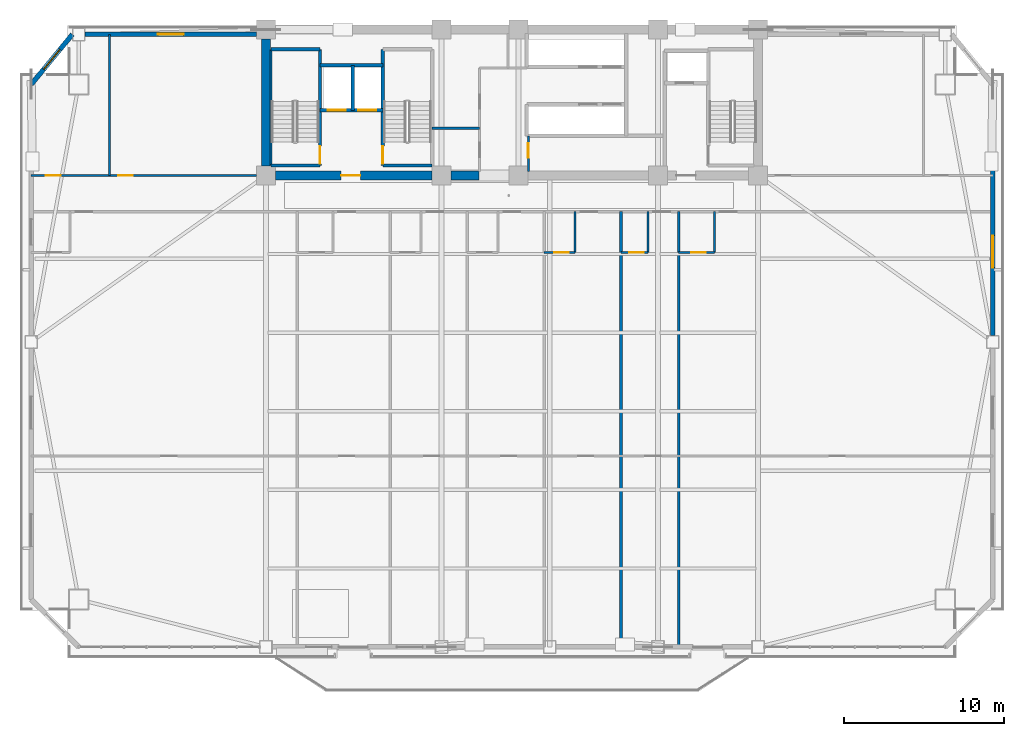
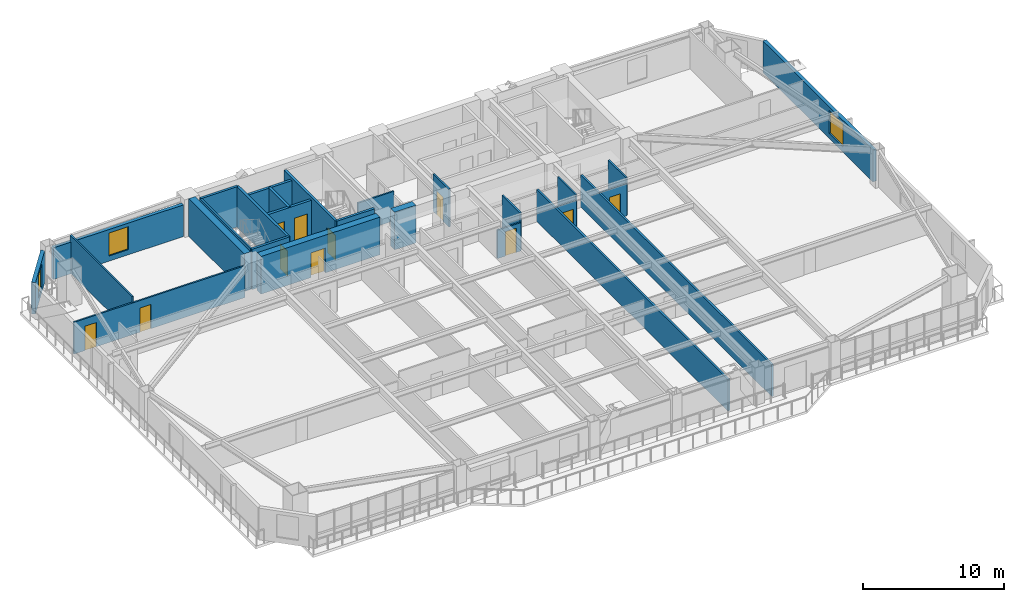
# One storey, part 9 of 17: 27 walls, 11 doors, 3 windows, 14 openings.
"""IFC4 building model written with IfcOpenShell, lengths in metres."""

from ifc_helpers import new_model, si_unit, direction, frame, frame_2d, origin, place, context, subcontext, project, spatial, rectangle, extrude, source, transform, mapped, material, layer, layer_set, type_object, element, fill, save


model = new_model("IFC4")

# Units and contexts
model_context = context("Model", 3, precision=1e-05, world=origin(), true_north=direction((0.0, 1.0)))
body_context = subcontext(model_context, "Body", "Model", "MODEL_VIEW")
ifc_project = project(units=[si_unit("LENGTHUNIT", "METRE"), si_unit("AREAUNIT", "SQUARE_METRE"), si_unit("VOLUMEUNIT", "CUBIC_METRE"), si_unit("PLANEANGLEUNIT", "RADIAN"), si_unit("MASSUNIT", "GRAM", prefix="KILO")], contexts=[model_context])

# Site, building, storey
site_placement = place(None, origin())
site = spatial("IfcSite", under=ifc_project, at=site_placement, CompositionType="ELEMENT")
building_placement = place(site_placement, origin())
building = spatial("IfcBuilding", under=site, at=building_placement, Name="Giltprow Tower", CompositionType="ELEMENT")
storey_placement = place(building_placement, frame((0.0, 0.0, 137.699951171875)))
storey = spatial("IfcBuildingStorey", under=building, at=storey_placement, Name="L33", CompositionType="ELEMENT", Elevation=137.699951171875)

# Wall, opening, window
ifc_material_1 = material(Name="Precast concrete C40", Category="concrete")
ifc_layer_1 = layer(ifc_material_1, 0.300048828125, Name="Precast concrete C40")
ifc_layer_set_1 = layer_set([ifc_layer_1], Name="Precast concrete C40")
wall_type_1 = type_object("IfcWallType", Name="EW-NOTCH-CHAMFER-300", PredefinedType="SOLIDWALL", material=ifc_layer_set_1)
wall_1_placement = place(storey_placement, frame((7.779052734375, 46.25, 0.0), z_axis=(0.0, 0.0, 1.0), x_axis=(-0.63553760815, -0.772069911748, 0.0)))
wall_1 = element("IfcWall", 1, at=wall_1_placement, inside=storey, type_object=wall_type_1, Name="L33 Corner Notch Wall NW", PredefinedType="SOLIDWALL", context=body_context, shape_type="SweptSolid", body=[
    extrude(rectangle(XDim=4.035888671875, YDim=0.300048828125, at=frame_2d((2.01806640625, 0.0))), origin(), (0.0, 0.0, 1.0), 2.75),
])
opening_1_placement = place(wall_1_placement, frame((1.218017578125, 0.0, 0.449951171875)))
opening_1 = element("IfcOpeningElement", 2, at=opening_1_placement, cuts=wall_1, Name="Opening WN17", PredefinedType="OPENING", context=body_context, shape_type="SweptSolid", body=[
    extrude(rectangle(XDim=1.60009765625, YDim=2.0, at=frame_2d((0.800048828125, 1.0))), frame((0.0, 0.159912109375, 0.0), z_axis=(0.0, -1.0, 0.0), x_axis=(1.0, 0.0, 0.0)), (0.0, 0.0, 1.0), 0.320068359375),
])
ifc_material_2 = material(Name="Insulated glass", Category="glass")
window_type_1 = type_object("IfcWindowType", Name="WN-COR-1600x2000", PartitioningType="SINGLE_PANEL", PredefinedType="WINDOW", material=ifc_material_2)
shared_shape_1 = source(origin(), body_context, "Body", "SweptSolid", [
    extrude(rectangle(XDim=1.60009765625, YDim=2.0, at=frame_2d((0.800048828125, 1.0))), frame((0.0, 0.030029296875, 0.0), z_axis=(0.0, -1.0, 0.0), x_axis=(1.0, 0.0, 0.0)), (0.0, 0.0, 1.0), 0.06005859375),
])
window_1_placement = place(opening_1_placement, origin())
window_1 = element("IfcWindow", 3, at=window_1_placement, inside=storey, type_object=window_type_1, Name="L33 Corner Notch Window NW", OverallHeight=2.0, OverallWidth=1.60009765625, PartitioningType="SINGLE_PANEL", PredefinedType="WINDOW", context=body_context, shape_type="MappedRepresentation", body=[
    mapped(shared_shape_1, transform((0.0, 0.0, 0.0), x_axis=(1.0, 0.0, 0.0), y_axis=(0.0, 1.0, 0.0), z_axis=(0.0, 0.0, 1.0), scale=1.0)),
])
fill(opening_1, window_1)

ifc_layer_2 = layer(ifc_material_1, 0.280029296875, Name="Precast concrete C40")
ifc_layer_set_2 = layer_set([ifc_layer_2], Name="Precast concrete C40")
wall_type_2 = type_object("IfcWallType", Name="EW-TOW-BRONZE-280", PredefinedType="SOLIDWALL", material=ifc_layer_set_2)
wall_2_placement = place(storey_placement, frame((65.18603515625, 27.471923828125, 0.0), z_axis=(0.0, 0.0, 1.0), x_axis=(0.0, 1.0, 0.0)))
wall_2 = element("IfcWall", 4, at=wall_2_placement, inside=storey, type_object=wall_type_2, Name="L33 E Wing Masonry Wall 2", PredefinedType="SOLIDWALL", context=body_context, shape_type="SweptSolid", body=[
    extrude(rectangle(XDim=15.662109375, YDim=0.280029296875, at=frame_2d((7.8310546875, 0.0))), origin(), (0.0, 0.0, 1.0), 2.75),
])
opening_2_placement = place(wall_2_placement, frame((4.22705078125, 0.0, 0.449951171875)))
opening_2 = element("IfcOpeningElement", 5, at=opening_2_placement, cuts=wall_2, Name="Opening WN21", PredefinedType="OPENING", context=body_context, shape_type="SweptSolid", body=[
    extrude(rectangle(XDim=2.0, YDim=2.0, at=frame_2d((1.0, 1.0))), frame((0.0, 0.14990234375, 0.0), z_axis=(0.0, -1.0, 0.0), x_axis=(1.0, 0.0, 0.0)), (0.0, 0.0, 1.0), 0.300048828125),
])
window_type_2 = type_object("IfcWindowType", Name="WN-HTL-2000x2000", PartitioningType="DOUBLE_PANEL_VERTICAL", PredefinedType="WINDOW", material=ifc_material_2)
shared_shape_2 = source(origin(), body_context, "Body", "SweptSolid", [
    extrude(rectangle(XDim=2.0, YDim=2.0, at=frame_2d((1.0, 1.0))), frame((0.0, 0.030029296875, 0.0), z_axis=(0.0, -1.0, 0.0), x_axis=(1.0, 0.0, 0.0)), (0.0, 0.0, 1.0), 0.06005859375),
])
window_2_placement = place(opening_2_placement, origin())
window_2 = element("IfcWindow", 6, at=window_2_placement, inside=storey, type_object=window_type_2, Name="L33 E Wing Window 2-1", OverallHeight=2.0, OverallWidth=2.0, PartitioningType="SINGLE_PANEL", PredefinedType="WINDOW", context=body_context, shape_type="MappedRepresentation", body=[
    mapped(shared_shape_2, transform((0.0, 0.0, 0.0), x_axis=(1.0, 0.0, 0.0), y_axis=(0.0, 1.0, 0.0), z_axis=(0.0, 0.0, 1.0), scale=1.0)),
])
fill(opening_2, window_2)

wall_3_placement = place(storey_placement, frame((8.5791015625, 46.25, 0.0), z_axis=(0.0, 0.0, 1.0), x_axis=(1.0, 0.0, 0.0)))
wall_3 = element("IfcWall", 7, at=wall_3_placement, inside=storey, type_object=wall_type_2, Name="L33 North-West Wing Wall", PredefinedType="SOLIDWALL", context=body_context, shape_type="SweptSolid", body=[
    extrude(rectangle(XDim=10.6708984375, YDim=0.280029296875, at=frame_2d((5.33544921875, 0.0))), origin(), (0.0, 0.0, 1.0), 2.75),
])
opening_3_placement = place(wall_3_placement, frame((4.534912109375, 0.0, 0.449951171875)))
opening_3 = element("IfcOpeningElement", 8, at=opening_3_placement, cuts=wall_3, Name="Opening WN17", PredefinedType="OPENING", context=body_context, shape_type="SweptSolid", body=[
    extrude(rectangle(XDim=1.60009765625, YDim=2.0, at=frame_2d((0.800048828125, 1.0))), frame((0.0, 0.14990234375, 0.0), z_axis=(0.0, -1.0, 0.0), x_axis=(1.0, 0.0, 0.0)), (0.0, 0.0, 1.0), 0.300048828125),
])
window_3_placement = place(opening_3_placement, origin())
window_3 = element("IfcWindow", 9, at=window_3_placement, inside=storey, type_object=window_type_1, Name="L33 North-West Window", OverallHeight=2.0, OverallWidth=1.60009765625, PartitioningType="SINGLE_PANEL", PredefinedType="WINDOW", context=body_context, shape_type="MappedRepresentation", body=[
    mapped(shared_shape_1, transform((0.0, 0.0, 0.0), x_axis=(1.0, 0.0, 0.0), y_axis=(0.0, 1.0, 0.0), z_axis=(0.0, 0.0, 1.0), scale=1.0)),
])
fill(opening_3, window_3)

# Walls
ifc_material_3 = material(Name="Gypsum stud partition", Category="gypsum")
ifc_layer_3 = layer(ifc_material_3, 0.159912109375, Name="Gypsum stud partition")
ifc_layer_set_3 = layer_set([ifc_layer_3], Name="Gypsum stud partition")
wall_type_3 = type_object("IfcWallType", Name="IW-DEMISE-160", PredefinedType="PARTITIONING", material=ifc_layer_set_3)
for number, where, z_axis, x_axis, name in (
    (10, (42.0, 8.044921875, 0.0), (0.0, 0.0, 1.0), (0.0, 1.0, 0.0), "L33 Hotel Demising Wall 5"),
    (11, (45.60009765625, 8.044921875, 0.0), (0.0, 0.0, 1.0), (0.0, 1.0, 0.0), "L33 Hotel Demising Wall 6"),
):
    element("IfcWall", number, at=place(storey_placement, frame(where, z_axis=z_axis, x_axis=x_axis)), inside=storey, type_object=wall_type_3, Name=name, PredefinedType="PARTITIONING", context=body_context, shape_type="SweptSolid", body=[
        extrude(rectangle(XDim=27.155029296875, YDim=0.159912109375, at=frame_2d((13.57763671875, 0.0))), origin(), (0.0, 0.0, 1.0), 2.755126953125),
    ])

# Wall, openings, doors
ifc_material_4 = material(Name="Concrete C40", Category="concrete")
ifc_layer_4 = layer(ifc_material_4, 0.219970703125, Name="Concrete C40")
ifc_layer_set_4 = layer_set([ifc_layer_4], Name="Concrete C40")
wall_type_4 = type_object("IfcWallType", Name="IW-SHAFT-220", PredefinedType="SOLIDWALL", material=ifc_layer_set_4)
wall_4_placement = place(storey_placement, frame((23.219970703125, 41.52001953125, 0.0), z_axis=(0.0, 0.0, 1.0), x_axis=(1.0, 0.0, 0.0)))
wall_4 = element("IfcWall", 12, at=wall_4_placement, inside=storey, type_object=wall_type_4, Name="L33 FFL1 and Service Lift Front Wall", PredefinedType="SOLIDWALL", context=body_context, shape_type="SweptSolid", body=[
    extrude(rectangle(XDim=3.919921875, YDim=0.219970703125, at=frame_2d((1.9599609375, 0.0))), origin(), (0.0, 0.0, 1.0), 3.27001953125),
])
opening_4_placement = place(wall_4_placement, frame((0.5, 0.0, 0.0)))
opening_4 = element("IfcOpeningElement", 13, at=opening_4_placement, cuts=wall_4, Name="Opening LD-11", PredefinedType="OPENING", context=body_context, shape_type="SweptSolid", body=[
    extrude(rectangle(XDim=1.10009765625, YDim=2.199951171875, at=frame_2d((0.550048828125, 1.10009765625))), frame((0.0, 0.119873046875, 0.0), z_axis=(0.0, -1.0, 0.0), x_axis=(1.0, 0.0, 0.0)), (0.0, 0.0, 1.0), 0.239990234375),
])
opening_5_placement = place(wall_4_placement, frame((2.39990234375, 0.0, 0.0)))
opening_5 = element("IfcOpeningElement", 14, at=opening_5_placement, cuts=wall_4, Name="Opening LD-11", PredefinedType="OPENING", context=body_context, shape_type="SweptSolid", body=[
    extrude(rectangle(XDim=1.10009765625, YDim=2.199951171875, at=frame_2d((0.550048828125, 1.10009765625))), frame((0.0, 0.119873046875, 0.0), z_axis=(0.0, -1.0, 0.0), x_axis=(1.0, 0.0, 0.0)), (0.0, 0.0, 1.0), 0.239990234375),
])
ifc_material_5 = material(Name="Stainless steel", Category="steel")
door_type_1 = type_object("IfcDoorType", Name="DR-LIFT-LD1100", OperationType="SLIDING_TO_LEFT", PredefinedType="DOOR", material=ifc_material_5)
shared_shape_3 = source(origin(), body_context, "Body", "SweptSolid", [
    extrude(rectangle(XDim=1.10009765625, YDim=2.199951171875, at=frame_2d((0.550048828125, 1.10009765625))), frame((0.0, 0.02490234375, 0.0), z_axis=(0.0, -1.0, 0.0), x_axis=(1.0, 0.0, 0.0)), (0.0, 0.0, 1.0), 0.050048828125),
])
door_1_placement = place(opening_4_placement, origin())
door_1 = element("IfcDoor", 15, at=door_1_placement, inside=storey, type_object=door_type_1, Name="L33 FFL1 Landing Door", OperationType="SLIDING_TO_LEFT", OverallHeight=2.199951171875, OverallWidth=1.10009765625, PredefinedType="DOOR", context=body_context, shape_type="MappedRepresentation", body=[
    mapped(shared_shape_3, transform((0.0, 0.0, 0.0), x_axis=(1.0, 0.0, 0.0), y_axis=(0.0, 1.0, 0.0), z_axis=(0.0, 0.0, 1.0), scale=1.0)),
])
fill(opening_4, door_1)
door_2_placement = place(opening_5_placement, origin())
door_2 = element("IfcDoor", 16, at=door_2_placement, inside=storey, type_object=door_type_1, Name="L33 SVL1 Landing Door", OperationType="SLIDING_TO_LEFT", OverallHeight=2.199951171875, OverallWidth=1.10009765625, PredefinedType="DOOR", context=body_context, shape_type="MappedRepresentation", body=[
    mapped(shared_shape_3, transform((0.0, 0.0, 0.0), x_axis=(1.0, 0.0, 0.0), y_axis=(0.0, 1.0, 0.0), z_axis=(0.0, 0.0, 1.0), scale=1.0)),
])
fill(opening_5, door_2)

# Walls
wall_5_placement = place(storey_placement, frame((25.260009765625, 41.52001953125, 0.0), z_axis=(0.0, 0.0, 1.0), x_axis=(0.0, 1.0, 0.0)))
element("IfcWall", 17, at=wall_5_placement, inside=storey, type_object=wall_type_4, Name="L33 FFL1-SVL1 Shaft Divider", PredefinedType="SOLIDWALL", context=body_context, shape_type="SweptSolid", body=[
    extrude(rectangle(XDim=2.800048828125, YDim=0.219970703125, at=frame_2d((1.39990234375, 0.0))), origin(), (0.0, 0.0, 1.0), 3.27001953125),
])
wall_6_placement = place(storey_placement, frame((23.219970703125, 44.320068359375, 0.0), z_axis=(0.0, 0.0, 1.0), x_axis=(1.0, 0.0, 0.0)))
element("IfcWall", 18, at=wall_6_placement, inside=storey, type_object=wall_type_4, Name="L33 FFL1-SVL1 Back Shaft Wall", PredefinedType="SOLIDWALL", context=body_context, shape_type="SweptSolid", body=[
    extrude(rectangle(XDim=3.919921875, YDim=0.219970703125, at=frame_2d((1.9599609375, 0.0))), origin(), (0.0, 0.0, 1.0), 3.27001953125),
])
ifc_material_6 = material(Name="Concrete C45", Category="concrete")
ifc_layer_5 = layer(ifc_material_6, 0.139892578125, Name="Concrete C45")
ifc_layer_set_5 = layer_set([ifc_layer_5], Name="Concrete C45")
wall_type_5 = type_object("IfcWallType", Name="IW-STAIR-140", PredefinedType="SOLIDWALL", material=ifc_layer_set_5)
wall_7_placement = place(storey_placement, frame((20.169921875, 38.070068359375, 0.0), z_axis=(0.0, 0.0, 1.0), x_axis=(0.0, 1.0, 0.0)))
element("IfcWall", 19, at=wall_7_placement, inside=storey, type_object=wall_type_5, Name="L33 Stair ST-1 West Bearing Wall", PredefinedType="SOLIDWALL", context=body_context, shape_type="SweptSolid", body=[
    extrude(rectangle(XDim=7.25, YDim=0.139892578125, at=frame_2d((3.625, 0.0))), origin(), (0.0, 0.0, 1.0), 3.5),
])

# Wall, opening, door
ifc_layer_6 = layer(ifc_material_4, 0.199951171875, Name="Concrete C40")
ifc_layer_set_6 = layer_set([ifc_layer_6], Name="Concrete C40")
wall_type_6 = type_object("IfcWallType", Name="IW-STAIR-200", PredefinedType="SOLIDWALL", material=ifc_layer_set_6)
wall_8_placement = place(storey_placement, frame((23.219970703125, 38.070068359375, 0.0), z_axis=(0.0, 0.0, 1.0), x_axis=(0.0, 1.0, 0.0)))
wall_8 = element("IfcWall", 20, at=wall_8_placement, inside=storey, type_object=wall_type_6, Name="L33 Stair ST-1 East Bearing Wall", PredefinedType="SOLIDWALL", context=body_context, shape_type="SweptSolid", body=[
    extrude(rectangle(XDim=7.25, YDim=0.199951171875, at=frame_2d((3.625, 0.0))), origin(), (0.0, 0.0, 1.0), 3.5),
])
opening_6_placement = place(wall_8_placement, frame((0.110107421875, 0.0, 0.0)))
opening_6 = element("IfcOpeningElement", 21, at=opening_6_placement, cuts=wall_8, Name="Opening ID33", PredefinedType="OPENING", context=body_context, shape_type="SweptSolid", body=[
    extrude(rectangle(XDim=1.10009765625, YDim=2.14990234375, at=frame_2d((0.550048828125, 1.074951171875))), frame((0.0, 0.10986328125, 0.0), z_axis=(0.0, -1.0, 0.0), x_axis=(1.0, 0.0, 0.0)), (0.0, 0.0, 1.0), 0.219970703125),
])
ifc_material_7 = material(Name="Steel fire leaf", Category="steel")
door_type_2 = type_object("IfcDoorType", Name="DR-STAIR-1100", OperationType="SINGLE_SWING_LEFT", PredefinedType="DOOR", material=ifc_material_7)
shared_shape_4 = source(origin(), body_context, "Body", "SweptSolid", [
    extrude(rectangle(XDim=1.10009765625, YDim=2.14990234375, at=frame_2d((0.550048828125, 1.074951171875))), frame((0.0, 0.02490234375, 0.0), z_axis=(0.0, -1.0, 0.0), x_axis=(1.0, 0.0, 0.0)), (0.0, 0.0, 1.0), 0.050048828125),
])
door_3_placement = place(opening_6_placement, origin())
door_3 = element("IfcDoor", 22, at=door_3_placement, inside=storey, type_object=door_type_2, Name="L33 Stair ST-1 Fire Door", OperationType="SINGLE_SWING_RIGHT", OverallHeight=2.14990234375, OverallWidth=1.10009765625, PredefinedType="DOOR", context=body_context, shape_type="MappedRepresentation", body=[
    mapped(shared_shape_4, transform((0.0, 0.0, 0.0), x_axis=(1.0, 0.0, 0.0), y_axis=(0.0, 1.0, 0.0), z_axis=(0.0, 0.0, 1.0), scale=1.0)),
])
fill(opening_6, door_3)

# Walls
for number, where, z_axis, x_axis, name in (
    (23, (20.169921875, 45.320068359375, 0.0), (0.0, 0.0, 1.0), (1.0, 0.0, 0.0), "L33 Stair ST-1 North Bearing Wall"),
    (24, (20.169921875, 38.070068359375, 0.0), (0.0, 0.0, 1.0), (1.0, 0.0, 0.0), "L33 Stair ST-1 South Bearing Wall"),
):
    element("IfcWall", number, at=place(storey_placement, frame(where, z_axis=z_axis, x_axis=x_axis)), inside=storey, type_object=wall_type_6, Name=name, PredefinedType="SOLIDWALL", context=body_context, shape_type="SweptSolid", body=[
        extrude(rectangle(XDim=3.050048828125, YDim=0.199951171875, at=frame_2d((1.52490234375, 0.0))), origin(), (0.0, 0.0, 1.0), 3.5),
    ])

# Wall, opening, door
wall_9_placement = place(storey_placement, frame((27.139892578125, 38.070068359375, 0.0), z_axis=(0.0, 0.0, 1.0), x_axis=(0.0, 1.0, 0.0)))
wall_9 = element("IfcWall", 25, at=wall_9_placement, inside=storey, type_object=wall_type_6, Name="L33 Stair ST-2 West Bearing Wall", PredefinedType="SOLIDWALL", context=body_context, shape_type="SweptSolid", body=[
    extrude(rectangle(XDim=7.25, YDim=0.199951171875, at=frame_2d((3.625, 0.0))), origin(), (0.0, 0.0, 1.0), 3.5),
])
opening_7_placement = place(wall_9_placement, frame((0.110107421875, 0.0, 0.0)))
opening_7 = element("IfcOpeningElement", 26, at=opening_7_placement, cuts=wall_9, Name="Opening ID33", PredefinedType="OPENING", context=body_context, shape_type="SweptSolid", body=[
    extrude(rectangle(XDim=1.10009765625, YDim=2.14990234375, at=frame_2d((0.550048828125, 1.074951171875))), frame((0.0, 0.10986328125, 0.0), z_axis=(0.0, -1.0, 0.0), x_axis=(1.0, 0.0, 0.0)), (0.0, 0.0, 1.0), 0.219970703125),
])
door_4_placement = place(opening_7_placement, origin())
door_4 = element("IfcDoor", 27, at=door_4_placement, inside=storey, type_object=door_type_2, Name="L33 Stair ST-2 Fire Door", OperationType="SINGLE_SWING_LEFT", OverallHeight=2.14990234375, OverallWidth=1.10009765625, PredefinedType="DOOR", context=body_context, shape_type="MappedRepresentation", body=[
    mapped(shared_shape_4, transform((0.0, 0.0, 0.0), x_axis=(1.0, 0.0, 0.0), y_axis=(0.0, 1.0, 0.0), z_axis=(0.0, 0.0, 1.0), scale=1.0)),
])
fill(opening_7, door_4)

# Walls
wall_10_placement = place(storey_placement, frame((27.139892578125, 38.070068359375, 0.0), z_axis=(0.0, 0.0, 1.0), x_axis=(1.0, 0.0, 0.0)))
element("IfcWall", 28, at=wall_10_placement, inside=storey, type_object=wall_type_6, Name="L33 Stair ST-2 South Bearing Wall", PredefinedType="SOLIDWALL", context=body_context, shape_type="SweptSolid", body=[
    extrude(rectangle(XDim=3.080078125, YDim=0.199951171875, at=frame_2d((1.5400390625, 0.0))), origin(), (0.0, 0.0, 1.0), 3.5),
])
ifc_material_8 = material(Name="Concrete C30", Category="concrete")
ifc_layer_7 = layer(ifc_material_8, 0.1298828125, Name="Concrete C30")
ifc_layer_set_7 = layer_set([ifc_layer_7], Name="Concrete C30")
wall_type_7 = type_object("IfcWallType", Name="IW-WET-130", PredefinedType="PARTITIONING", material=ifc_layer_set_7)
wall_11_placement = place(storey_placement, frame((30.219970703125, 40.39990234375, 0.0), z_axis=(0.0, 0.0, 1.0), x_axis=(1.0, 0.0, 0.0)))
element("IfcWall", 29, at=wall_11_placement, inside=storey, type_object=wall_type_7, Name="L33 Core Housekeeping Split 2", PredefinedType="PARTITIONING", context=body_context, shape_type="SweptSolid", body=[
    extrude(rectangle(XDim=2.9599609375, YDim=0.1298828125, at=frame_2d((1.47998046875, 0.0))), origin(), (0.0, 0.0, 1.0), 2.554931640625),
])

# Wall, opening, door
wall_12_placement = place(storey_placement, frame((36.219970703125, 37.705078125, 0.0), z_axis=(0.0, 0.0, 1.0), x_axis=(0.0, 1.0, 0.0)))
wall_12 = element("IfcWall", 30, at=wall_12_placement, inside=storey, type_object=wall_type_7, Name="L33 Core Valet West Wall", PredefinedType="PARTITIONING", context=body_context, shape_type="SweptSolid", body=[
    extrude(rectangle(XDim=2.21484375, YDim=0.1298828125, at=frame_2d((1.107421875, 0.0))), origin(), (0.0, 0.0, 1.0), 3.27001953125),
])
opening_8_placement = place(wall_12_placement, frame((0.85498046875, 0.0, 0.0)))
opening_8 = element("IfcOpeningElement", 31, at=opening_8_placement, cuts=wall_12, Name="Opening ID35", PredefinedType="OPENING", context=body_context, shape_type="SweptSolid", body=[
    extrude(rectangle(XDim=0.89990234375, YDim=2.10009765625, at=frame_2d((0.449951171875, 1.050048828125))), frame((0.0, 0.074951171875, 0.0), z_axis=(0.0, -1.0, 0.0), x_axis=(1.0, 0.0, 0.0)), (0.0, 0.0, 1.0), 0.14990234375),
])
door_type_3 = type_object("IfcDoorType", Name="DR-SHAFT-900", OperationType="SINGLE_SWING_LEFT", PredefinedType="DOOR", material=ifc_material_7)
shared_shape_5 = source(origin(), body_context, "Body", "SweptSolid", [
    extrude(rectangle(XDim=0.89990234375, YDim=2.10009765625, at=frame_2d((0.449951171875, 1.050048828125))), frame((0.0, 0.02490234375, 0.0), z_axis=(0.0, -1.0, 0.0), x_axis=(1.0, 0.0, 0.0)), (0.0, 0.0, 1.0), 0.050048828125),
])
door_5_placement = place(opening_8_placement, origin())
door_5 = element("IfcDoor", 32, at=door_5_placement, inside=storey, type_object=door_type_3, Name="L33 Core Valet Pantry Door", OperationType="SINGLE_SWING_RIGHT", OverallHeight=2.10009765625, OverallWidth=0.89990234375, PredefinedType="DOOR", context=body_context, shape_type="MappedRepresentation", body=[
    mapped(shared_shape_5, transform((0.0, 0.0, 0.0), x_axis=(1.0, 0.0, 0.0), y_axis=(0.0, 1.0, 0.0), z_axis=(0.0, 0.0, 1.0), scale=1.0)),
])
fill(opening_8, door_5)

wall_13_placement = place(storey_placement, frame((37.199951171875, 32.64990234375, 0.0), z_axis=(0.0, 0.0, 1.0), x_axis=(1.0, 0.0, 0.0)))
wall_13 = element("IfcWall", 33, at=wall_13_placement, inside=storey, type_object=wall_type_7, Name="L33 En-Suite South Wall 5", PredefinedType="PARTITIONING", context=body_context, shape_type="SweptSolid", body=[
    extrude(rectangle(XDim=1.93603515625, YDim=0.1298828125, at=frame_2d((0.968017578125, 0.0))), origin(), (0.0, 0.0, 1.0), 2.455078125),
])
opening_9_placement = place(wall_13_placement, frame((0.637939453125, 0.0, 0.0)))
opening_9 = element("IfcOpeningElement", 34, at=opening_9_placement, cuts=wall_13, Name="Opening ID15", PredefinedType="OPENING", context=body_context, shape_type="SweptSolid", body=[
    extrude(rectangle(XDim=0.89990234375, YDim=2.10009765625, at=frame_2d((0.449951171875, 1.050048828125))), frame((0.0, 0.074951171875, 0.0), z_axis=(0.0, -1.0, 0.0), x_axis=(1.0, 0.0, 0.0)), (0.0, 0.0, 1.0), 0.14990234375),
])
ifc_material_9 = material(Name="Engineered timber", Category="wood")
door_type_4 = type_object("IfcDoorType", Name="DR-WC-900", OperationType="SINGLE_SWING_LEFT", PredefinedType="DOOR", material=ifc_material_9)
door_6_placement = place(opening_9_placement, origin())
door_6 = element("IfcDoor", 35, at=door_6_placement, inside=storey, type_object=door_type_4, Name="L33 En-Suite 5 Door", OperationType="SINGLE_SWING_LEFT", OverallHeight=2.10009765625, OverallWidth=0.89990234375, PredefinedType="DOOR", context=body_context, shape_type="MappedRepresentation", body=[
    mapped(shared_shape_5, transform((0.0, 0.0, 0.0), x_axis=(1.0, 0.0, 0.0), y_axis=(0.0, 1.0, 0.0), z_axis=(0.0, 0.0, 1.0), scale=1.0)),
])
fill(opening_9, door_6)

# Wall
wall_14_placement = place(storey_placement, frame((39.135986328125, 32.64990234375, 0.0), z_axis=(0.0, 0.0, 1.0), x_axis=(0.0, 1.0, 0.0)))
element("IfcWall", 36, at=wall_14_placement, inside=storey, type_object=wall_type_7, Name="L33 En-Suite East Wall 5", PredefinedType="PARTITIONING", context=body_context, shape_type="SweptSolid", body=[
    extrude(rectangle(XDim=2.550048828125, YDim=0.1298828125, at=frame_2d((1.27490234375, 0.0))), origin(), (0.0, 0.0, 1.0), 3.27001953125),
])

# Wall, opening, door
wall_15_placement = place(storey_placement, frame((42.0, 32.64990234375, 0.0), z_axis=(0.0, 0.0, 1.0), x_axis=(1.0, 0.0, 0.0)))
wall_15 = element("IfcWall", 37, at=wall_15_placement, inside=storey, type_object=wall_type_7, Name="L33 En-Suite South Wall 6", PredefinedType="PARTITIONING", context=body_context, shape_type="SweptSolid", body=[
    extrude(rectangle(XDim=1.679931640625, YDim=0.1298828125, at=frame_2d((0.83984375, 0.0))), origin(), (0.0, 0.0, 1.0), 2.804931640625),
])
opening_10_placement = place(wall_15_placement, frame((0.510009765625, 0.0, 0.0)))
opening_10 = element("IfcOpeningElement", 38, at=opening_10_placement, cuts=wall_15, Name="Opening ID15", PredefinedType="OPENING", context=body_context, shape_type="SweptSolid", body=[
    extrude(rectangle(XDim=0.89990234375, YDim=2.10009765625, at=frame_2d((0.449951171875, 1.050048828125))), frame((0.0, 0.074951171875, 0.0), z_axis=(0.0, -1.0, 0.0), x_axis=(1.0, 0.0, 0.0)), (0.0, 0.0, 1.0), 0.14990234375),
])
door_7_placement = place(opening_10_placement, origin())
door_7 = element("IfcDoor", 39, at=door_7_placement, inside=storey, type_object=door_type_4, Name="L33 En-Suite 6 Door", OperationType="SINGLE_SWING_RIGHT", OverallHeight=2.10009765625, OverallWidth=0.89990234375, PredefinedType="DOOR", context=body_context, shape_type="MappedRepresentation", body=[
    mapped(shared_shape_5, transform((0.0, 0.0, 0.0), x_axis=(1.0, 0.0, 0.0), y_axis=(0.0, 1.0, 0.0), z_axis=(0.0, 0.0, 1.0), scale=1.0)),
])
fill(opening_10, door_7)

# Wall
wall_16_placement = place(storey_placement, frame((43.679931640625, 32.64990234375, 0.0), z_axis=(0.0, 0.0, 1.0), x_axis=(0.0, 1.0, 0.0)))
element("IfcWall", 40, at=wall_16_placement, inside=storey, type_object=wall_type_7, Name="L33 En-Suite East Wall 6", PredefinedType="PARTITIONING", context=body_context, shape_type="SweptSolid", body=[
    extrude(rectangle(XDim=2.550048828125, YDim=0.1298828125, at=frame_2d((1.27490234375, 0.0))), origin(), (0.0, 0.0, 1.0), 3.27001953125),
])

# Wall, opening, door
wall_17_placement = place(storey_placement, frame((45.60009765625, 32.64990234375, 0.0), z_axis=(0.0, 0.0, 1.0), x_axis=(1.0, 0.0, 0.0)))
wall_17 = element("IfcWall", 41, at=wall_17_placement, inside=storey, type_object=wall_type_7, Name="L33 En-Suite South Wall 7", PredefinedType="PARTITIONING", context=body_context, shape_type="SweptSolid", body=[
    extrude(rectangle(XDim=2.22998046875, YDim=0.1298828125, at=frame_2d((1.114990234375, 0.0))), origin(), (0.0, 0.0, 1.0), 2.804931640625),
])
opening_11_placement = place(wall_17_placement, frame((0.784912109375, 0.0, 0.0)))
opening_11 = element("IfcOpeningElement", 42, at=opening_11_placement, cuts=wall_17, Name="Opening ID15", PredefinedType="OPENING", context=body_context, shape_type="SweptSolid", body=[
    extrude(rectangle(XDim=0.89990234375, YDim=2.10009765625, at=frame_2d((0.449951171875, 1.050048828125))), frame((0.0, 0.074951171875, 0.0), z_axis=(0.0, -1.0, 0.0), x_axis=(1.0, 0.0, 0.0)), (0.0, 0.0, 1.0), 0.14990234375),
])
door_8_placement = place(opening_11_placement, origin())
door_8 = element("IfcDoor", 43, at=door_8_placement, inside=storey, type_object=door_type_4, Name="L33 En-Suite 7 Door", OperationType="SINGLE_SWING_LEFT", OverallHeight=2.10009765625, OverallWidth=0.89990234375, PredefinedType="DOOR", context=body_context, shape_type="MappedRepresentation", body=[
    mapped(shared_shape_5, transform((0.0, 0.0, 0.0), x_axis=(1.0, 0.0, 0.0), y_axis=(0.0, 1.0, 0.0), z_axis=(0.0, 0.0, 1.0), scale=1.0)),
])
fill(opening_11, door_8)

# Wall
wall_18_placement = place(storey_placement, frame((47.830078125, 32.64990234375, 0.0), z_axis=(0.0, 0.0, 1.0), x_axis=(0.0, 1.0, 0.0)))
element("IfcWall", 44, at=wall_18_placement, inside=storey, type_object=wall_type_7, Name="L33 En-Suite East Wall 7", PredefinedType="PARTITIONING", context=body_context, shape_type="SweptSolid", body=[
    extrude(rectangle(XDim=2.550048828125, YDim=0.1298828125, at=frame_2d((1.27490234375, 0.0))), origin(), (0.0, 0.0, 1.0), 3.27001953125),
])

# Wall, openings, doors
wall_19_placement = place(storey_placement, frame((5.214111328125, 37.449951171875, 0.0), z_axis=(0.0, 0.0, 1.0), x_axis=(1.0, 0.0, 0.0)))
wall_19 = element("IfcWall", 45, at=wall_19_placement, inside=storey, type_object=wall_type_7, Name="L33 NW Wing South Wall", PredefinedType="PARTITIONING", context=body_context, shape_type="SweptSolid", body=[
    extrude(rectangle(XDim=14.035888671875, YDim=0.1298828125, at=frame_2d((7.01806640625, 0.0))), origin(), (0.0, 0.0, 1.0), 2.755126953125),
])
opening_12_placement = place(wall_19_placement, frame((0.89990234375, 0.0, 0.0)))
opening_12 = element("IfcOpeningElement", 46, at=opening_12_placement, cuts=wall_19, Name="Opening ID11", PredefinedType="OPENING", context=body_context, shape_type="SweptSolid", body=[
    extrude(rectangle(XDim=0.949951171875, YDim=2.10009765625, at=frame_2d((0.47509765625, 1.050048828125))), frame((0.0, 0.074951171875, 0.0), z_axis=(0.0, -1.0, 0.0), x_axis=(1.0, 0.0, 0.0)), (0.0, 0.0, 1.0), 0.14990234375),
])
opening_13_placement = place(wall_19_placement, frame((5.419921875, 0.0, 0.0)))
opening_13 = element("IfcOpeningElement", 47, at=opening_13_placement, cuts=wall_19, Name="Opening ID15", PredefinedType="OPENING", context=body_context, shape_type="SweptSolid", body=[
    extrude(rectangle(XDim=0.89990234375, YDim=2.10009765625, at=frame_2d((0.449951171875, 1.050048828125))), frame((0.0, 0.074951171875, 0.0), z_axis=(0.0, -1.0, 0.0), x_axis=(1.0, 0.0, 0.0)), (0.0, 0.0, 1.0), 0.14990234375),
])
door_9_placement = place(opening_13_placement, origin())
door_9 = element("IfcDoor", 48, at=door_9_placement, inside=storey, type_object=door_type_4, Name="L33 NW Washroom Door", OperationType="SINGLE_SWING_RIGHT", OverallHeight=2.10009765625, OverallWidth=0.89990234375, PredefinedType="DOOR", context=body_context, shape_type="MappedRepresentation", body=[
    mapped(shared_shape_5, transform((0.0, 0.0, 0.0), x_axis=(1.0, 0.0, 0.0), y_axis=(0.0, 1.0, 0.0), z_axis=(0.0, 0.0, 1.0), scale=1.0)),
])
fill(opening_13, door_9)
door_type_5 = type_object("IfcDoorType", Name="DR-ROOM-950", OperationType="SINGLE_SWING_RIGHT", PredefinedType="DOOR", material=ifc_material_9)
shared_shape_6 = source(origin(), body_context, "Body", "SweptSolid", [
    extrude(rectangle(XDim=0.949951171875, YDim=2.10009765625, at=frame_2d((0.47509765625, 1.050048828125))), frame((0.0, 0.02490234375, 0.0), z_axis=(0.0, -1.0, 0.0), x_axis=(1.0, 0.0, 0.0)), (0.0, 0.0, 1.0), 0.050048828125),
])
door_10_placement = place(opening_12_placement, origin())
door_10 = element("IfcDoor", 49, at=door_10_placement, inside=storey, type_object=door_type_5, Name="L33 Hotel Floor Butler Office West Door", OperationType="SINGLE_SWING_LEFT", OverallHeight=2.10009765625, OverallWidth=0.949951171875, PredefinedType="DOOR", context=body_context, shape_type="MappedRepresentation", body=[
    mapped(shared_shape_6, transform((0.0, 0.0, 0.0), x_axis=(1.0, 0.0, 0.0), y_axis=(0.0, 1.0, 0.0), z_axis=(0.0, 0.0, 1.0), scale=1.0)),
])
fill(opening_12, door_10)

# Wall
wall_20_placement = place(storey_placement, frame((10.083984375, 37.449951171875, 0.0), z_axis=(0.0, 0.0, 1.0), x_axis=(0.0, 1.0, 0.0)))
element("IfcWall", 50, at=wall_20_placement, inside=storey, type_object=wall_type_7, Name="L33 NW Wing Divider", PredefinedType="PARTITIONING", context=body_context, shape_type="SweptSolid", body=[
    extrude(rectangle(XDim=8.800048828125, YDim=0.1298828125, at=frame_2d((4.39990234375, 0.0))), origin(), (0.0, 0.0, 1.0), 3.27001953125),
])

# Wall, opening, door
ifc_material_10 = material(Name="Concrete C60", Category="concrete")
ifc_layer_8 = layer(ifc_material_10, 0.550048828125, Name="Concrete C60")
ifc_layer_set_8 = layer_set([ifc_layer_8], Name="Concrete C60")
wall_type_8 = type_object("IfcWallType", Name="SW-INT-550-C60", PredefinedType="SHEAR", material=ifc_layer_set_8)
wall_21_placement = place(storey_placement, frame((20.449951171875, 37.449951171875, 0.0), z_axis=(0.0, 0.0, 1.0), x_axis=(1.0, 0.0, 0.0)))
wall_21 = element("IfcWall", 51, at=wall_21_placement, inside=storey, type_object=wall_type_8, Name="L33 South Rear Core Shear Wall West", PredefinedType="SHEAR", context=body_context, shape_type="SweptSolid", body=[
    extrude(rectangle(XDim=9.75, YDim=0.550048828125, at=frame_2d((4.875, 0.0))), origin(), (0.0, 0.0, 1.0), 3.27001953125),
])
opening_14_placement = place(wall_21_placement, frame((4.10009765625, 0.0, 0.0)))
opening_14 = element("IfcOpeningElement", 52, at=opening_14_placement, cuts=wall_21, Name="Opening ID19", PredefinedType="OPENING", context=body_context, shape_type="SweptSolid", body=[
    extrude(rectangle(XDim=1.199951171875, YDim=2.14990234375, at=frame_2d((0.60009765625, 1.074951171875))), frame((0.0, 0.284912109375, 0.0), z_axis=(0.0, -1.0, 0.0), x_axis=(1.0, 0.0, 0.0)), (0.0, 0.0, 1.0), 0.570068359375),
])
door_type_6 = type_object("IfcDoorType", Name="DR-FFLOBBY-1200", OperationType="SINGLE_SWING_RIGHT", PredefinedType="DOOR", material=ifc_material_7)
shared_shape_7 = source(origin(), body_context, "Body", "SweptSolid", [
    extrude(rectangle(XDim=1.199951171875, YDim=2.14990234375, at=frame_2d((0.60009765625, 1.074951171875))), frame((0.0, 0.02490234375, 0.0), z_axis=(0.0, -1.0, 0.0), x_axis=(1.0, 0.0, 0.0)), (0.0, 0.0, 1.0), 0.050048828125),
])
door_11_placement = place(opening_14_placement, origin())
door_11 = element("IfcDoor", 53, at=door_11_placement, inside=storey, type_object=door_type_6, Name="L33 West Firefighting Lobby Entry Door", OperationType="SINGLE_SWING_LEFT", OverallHeight=2.14990234375, OverallWidth=1.199951171875, PredefinedType="DOOR", context=body_context, shape_type="MappedRepresentation", body=[
    mapped(shared_shape_7, transform((0.0, 0.0, 0.0), x_axis=(1.0, 0.0, 0.0), y_axis=(0.0, 1.0, 0.0), z_axis=(0.0, 0.0, 1.0), scale=1.0)),
])
fill(opening_14, door_11)

# Walls
wall_22_placement = place(storey_placement, frame((31.39990234375, 37.449951171875, 0.0), z_axis=(0.0, 0.0, 1.0), x_axis=(1.0, 0.0, 0.0)))
element("IfcWall", 54, at=wall_22_placement, inside=storey, type_object=wall_type_8, Name="L33 South Rear Core Shear Wall Mid-West", PredefinedType="SHEAR", context=body_context, shape_type="SweptSolid", body=[
    extrude(rectangle(XDim=1.75, YDim=0.550048828125, at=frame_2d((0.875, 0.0))), origin(), (0.0, 0.0, 1.0), 3.27001953125),
])
wall_23_placement = place(storey_placement, frame((19.85009765625, 38.050048828125, 0.0), z_axis=(0.0, 0.0, 1.0), x_axis=(0.0, 1.0, 0.0)))
element("IfcWall", 55, at=wall_23_placement, inside=storey, type_object=wall_type_8, Name="L33 W Rear Core Shear Wall", PredefinedType="SHEAR", context=body_context, shape_type="SweptSolid", body=[
    extrude(rectangle(XDim=7.89990234375, YDim=0.550048828125, at=frame_2d((3.949951171875, 0.0))), origin(), (0.0, 0.0, 1.0), 3.27001953125),
])

save(model, "model.ifc")
